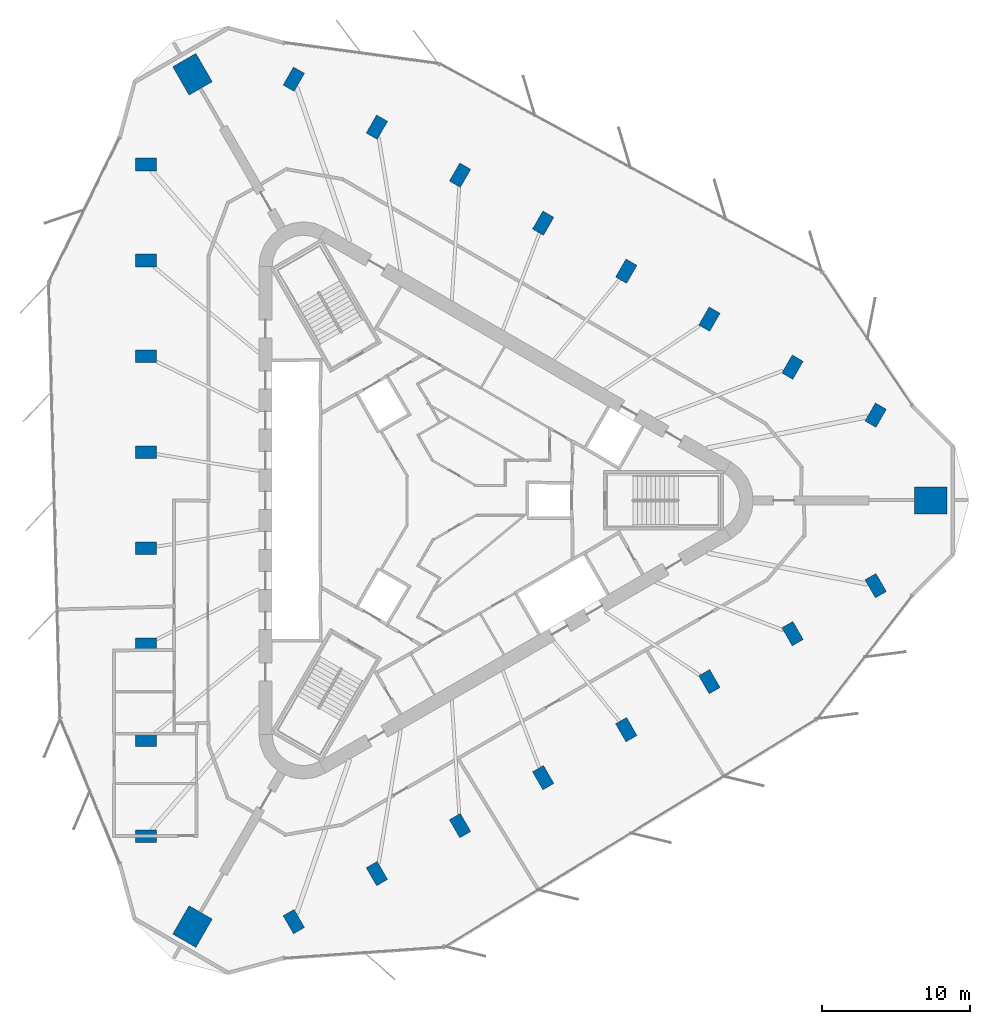
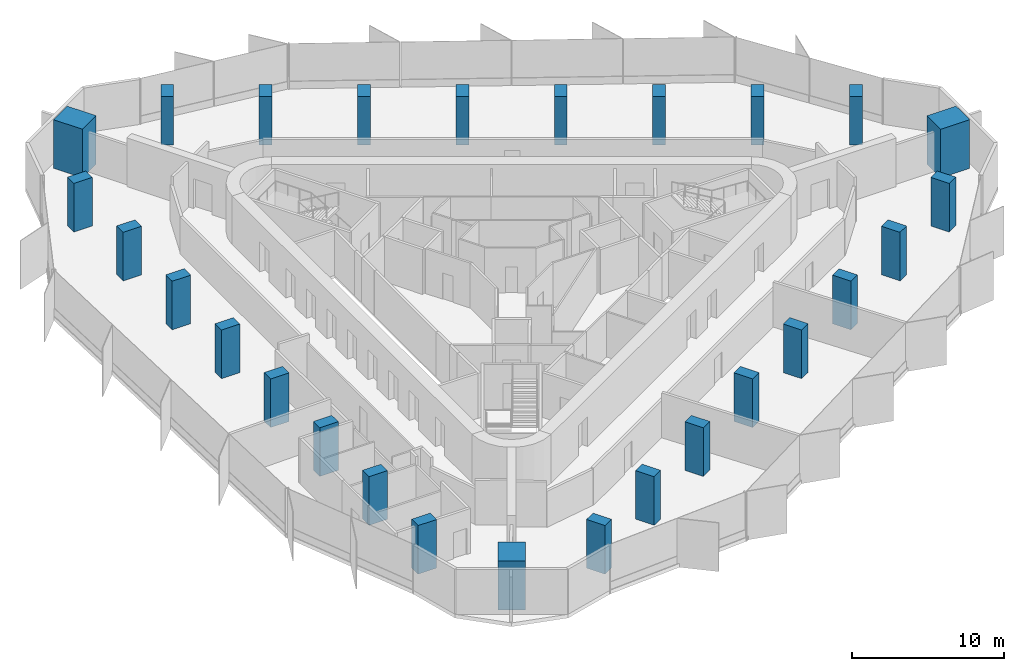
# One storey, part 1 of 12: 27 columns.
"""IFC4 building model written with IfcOpenShell, lengths in metres."""

from ifc_helpers import new_model, si_unit, direction, frame, origin, origin_2d, place, context, subcontext, project, spatial, rectangle, extrude, material, material_profile, profile_set, type_object, element, save


model = new_model("IFC4")

# Units and contexts
model_context = context("Model", 3, precision=1e-05, world=origin(), true_north=direction((0.0, 1.0)))
body_context = subcontext(model_context, "Body", "Model", "MODEL_VIEW")
ifc_project = project(units=[si_unit("LENGTHUNIT", "METRE"), si_unit("AREAUNIT", "SQUARE_METRE"), si_unit("VOLUMEUNIT", "CUBIC_METRE"), si_unit("PLANEANGLEUNIT", "RADIAN"), si_unit("MASSUNIT", "GRAM", prefix="KILO")], contexts=[model_context])

# Site, building, storey
site_placement = place(None, origin())
site = spatial("IfcSite", under=ifc_project, at=site_placement, CompositionType="ELEMENT")
building_placement = place(site_placement, origin())
building = spatial("IfcBuilding", under=site, at=building_placement, Name="Tanit Gate Tower", CompositionType="ELEMENT")
storey_placement = place(building_placement, frame((0.0, 0.0, 349.39990234375)))
storey = spatial("IfcBuildingStorey", under=building, at=storey_placement, Name="L79", CompositionType="ELEMENT", Elevation=349.39990234375)

# Columns
ifc_material_1 = material(Name="Concrete C50/60", Category="concrete")
ifc_material_profile_1 = material_profile(ifc_material_1, rectangle(XDim=2.199951171875, YDim=1.800048828125, at=origin_2d()), Name="RC 2200x1800")
ifc_profile_set_1 = profile_set([ifc_material_profile_1], Name="Concrete C50/60")
column_type_1 = type_object("IfcColumnType", Name="MEGA COLUMN 2200x1800 C50/60", PredefinedType="COLUMN", material=ifc_profile_set_1)
for number, where, z_axis, x_axis, name in (
    (1, (33.139404296875, 0.0, 0.0), (0.0, 0.0, 1.0), (1.0, 0.0, 0.0), "MEGA COLUMN"),
    (2, (-16.569580078125, 28.699462890625, 0.0), (0.0, 0.0, 1.0), (-0.5, 0.866025403784, 0.0), "MEGA COLUMN"),
    (3, (-16.569580078125, -28.699462890625, 0.0), (0.0, 0.0, 1.0), (-0.5, -0.866025403784, 0.0), "MEGA COLUMN"),
):
    element("IfcColumn", number, at=place(storey_placement, frame(where, z_axis=z_axis, x_axis=x_axis)), inside=storey, type_object=column_type_1, Name=name, PredefinedType="COLUMN", context=body_context, shape_type="SweptSolid", body=[
        extrude(rectangle(XDim=2.199951171875, YDim=1.800048828125, at=origin_2d()), origin(), (0.0, 0.0, 1.0), 3.900146484375),
    ])
ifc_material_2 = material(Name="Concrete C40/50", Category="concrete")
ifc_material_profile_2 = material_profile(ifc_material_2, rectangle(XDim=1.39990234375, YDim=0.85009765625, at=origin_2d()), Name="RC 1400x850")
ifc_profile_set_2 = profile_set([ifc_material_profile_2], Name="Concrete C40/50")
column_type_2 = type_object("IfcColumnType", Name="PERIMETER COLUMN 1400x850 C40/50", PredefinedType="COLUMN", material=ifc_profile_set_2)
for number, where, z_axis, x_axis, name in (
    (4, (-19.69189453125, 22.62353515625, 0.0), (0.0, 0.0, 1.0), (-1.0, 0.0, 0.0), "PERIMETER COLUMN"),
    (5, (-19.69189453125, 16.15966796875, 0.0), (0.0, 0.0, 1.0), (-1.0, 0.0, 0.0), "PERIMETER COLUMN"),
    (6, (-19.69189453125, 9.69580078125, 0.0), (0.0, 0.0, 1.0), (-1.0, 0.0, 0.0), "PERIMETER COLUMN"),
    (7, (-19.69189453125, 3.23193359375, 0.0), (0.0, 0.0, 1.0), (-1.0, 0.0, 0.0), "PERIMETER COLUMN"),
    (8, (-19.69189453125, -3.23193359375, 0.0), (0.0, 0.0, 1.0), (-1.0, 0.0, 0.0), "PERIMETER COLUMN"),
    (9, (-19.69189453125, -9.69580078125, 0.0), (0.0, 0.0, 1.0), (-1.0, 0.0, 0.0), "PERIMETER COLUMN"),
    (10, (-19.69189453125, -16.15966796875, 0.0), (0.0, 0.0, 1.0), (-1.0, 0.0, 0.0), "PERIMETER COLUMN"),
    (11, (-19.69189453125, -22.62353515625, 0.0), (0.0, 0.0, 1.0), (-1.0, 0.0, 0.0), "PERIMETER COLUMN"),
    (12, (29.4384765625, 5.74169921875, 0.0), (0.0, 0.0, 1.0), (0.5, 0.866025403784, 0.0), "PERIMETER COLUMN"),
    (13, (23.840576171875, 8.9736328125, 0.0), (0.0, 0.0, 1.0), (0.5, 0.866025403784, 0.0), "PERIMETER COLUMN"),
    (14, (18.24267578125, 12.20556640625, 0.0), (0.0, 0.0, 1.0), (0.5, 0.866025403784, 0.0), "PERIMETER COLUMN"),
    (15, (12.644775390625, 15.4375, 0.0), (0.0, 0.0, 1.0), (0.5, 0.866025403784, 0.0), "PERIMETER COLUMN"),
    (16, (7.046875, 18.66943359375, 0.0), (0.0, 0.0, 1.0), (0.5, 0.866025403784, 0.0), "PERIMETER COLUMN"),
    (17, (1.448974609375, 21.901611328125, 0.0), (0.0, 0.0, 1.0), (0.5, 0.866025403784, 0.0), "PERIMETER COLUMN"),
    (18, (-4.14892578125, 25.13330078125, 0.0), (0.0, 0.0, 1.0), (0.5, 0.866025403784, 0.0), "PERIMETER COLUMN"),
    (19, (-9.746826171875, 28.365478515625, 0.0), (0.0, 0.0, 1.0), (0.5, 0.866025403784, 0.0), "PERIMETER COLUMN"),
    (20, (-9.746826171875, -28.365478515625, 0.0), (0.0, 0.0, 1.0), (0.5, -0.866025403784, 0.0), "PERIMETER COLUMN"),
    (21, (-4.14892578125, -25.13330078125, 0.0), (0.0, 0.0, 1.0), (0.5, -0.866025403784, 0.0), "PERIMETER COLUMN"),
    (22, (1.448974609375, -21.901611328125, 0.0), (0.0, 0.0, 1.0), (0.5, -0.866025403784, 0.0), "PERIMETER COLUMN"),
    (23, (7.046875, -18.66943359375, 0.0), (0.0, 0.0, 1.0), (0.5, -0.866025403784, 0.0), "PERIMETER COLUMN"),
    (24, (12.644775390625, -15.4375, 0.0), (0.0, 0.0, 1.0), (0.5, -0.866025403784, 0.0), "PERIMETER COLUMN"),
    (25, (18.24267578125, -12.20556640625, 0.0), (0.0, 0.0, 1.0), (0.5, -0.866025403784, 0.0), "PERIMETER COLUMN"),
    (26, (23.840576171875, -8.9736328125, 0.0), (0.0, 0.0, 1.0), (0.5, -0.866025403784, 0.0), "PERIMETER COLUMN"),
    (27, (29.4384765625, -5.74169921875, 0.0), (0.0, 0.0, 1.0), (0.5, -0.866025403784, 0.0), "PERIMETER COLUMN"),
):
    element("IfcColumn", number, at=place(storey_placement, frame(where, z_axis=z_axis, x_axis=x_axis)), inside=storey, type_object=column_type_2, Name=name, PredefinedType="COLUMN", context=body_context, shape_type="SweptSolid", body=[
        extrude(rectangle(XDim=1.39990234375, YDim=0.85009765625, at=origin_2d()), origin(), (0.0, 0.0, 1.0), 3.900146484375),
    ])

save(model, "model.ifc")
